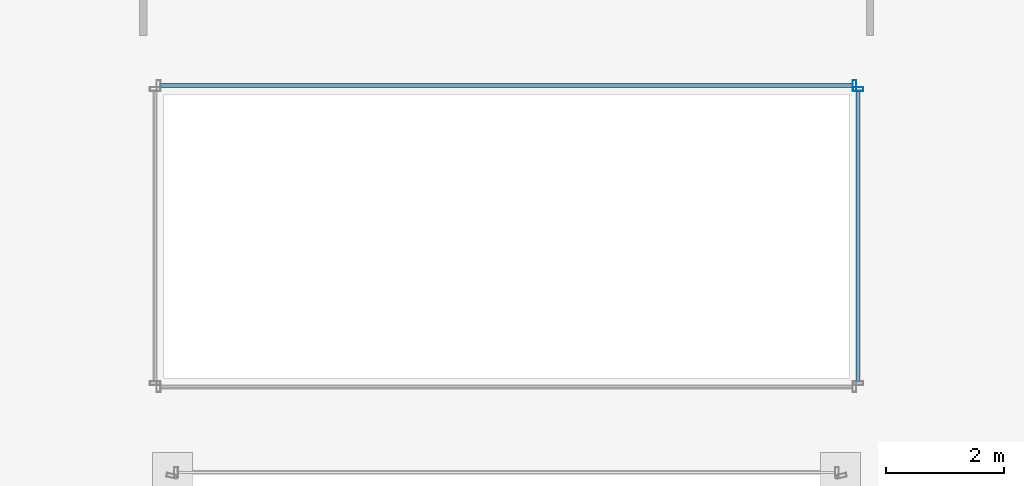
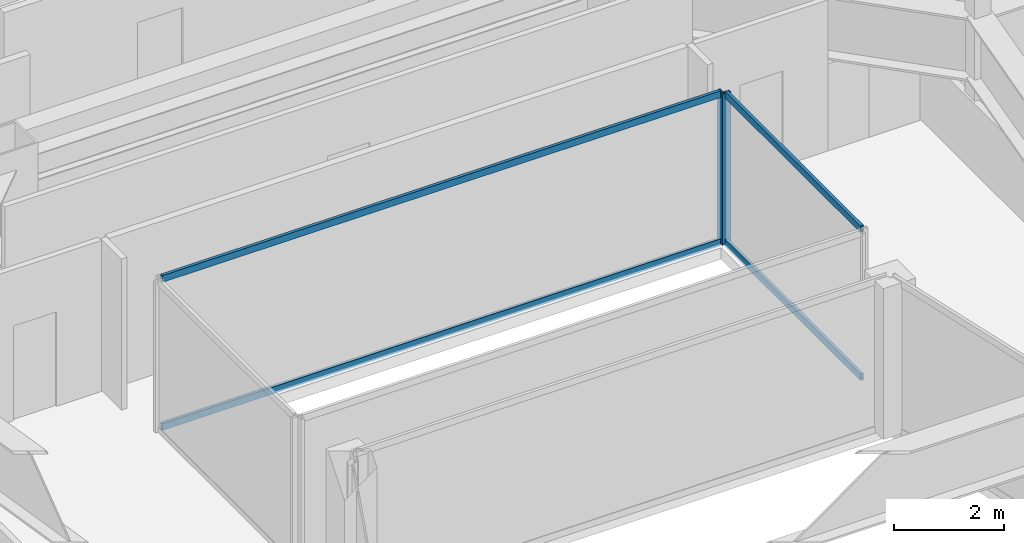
# One storey, part 12 of 35: 6 members, 2 elements without a shape of their own.
"""IFC4 building model written with IfcOpenShell, lengths in metres."""

from ifc_helpers import new_model, si_unit, direction, frame, origin, origin_2d, place, context, subcontext, project, spatial, hollow_rectangle, extrude, material, material_profile, profile_set, type_object, element, aggregate, save


model = new_model("IFC4")

# Units and contexts
model_context = context("Model", 3, precision=1e-05, world=origin(), true_north=direction((0.0, 1.0)))
body_context = subcontext(model_context, "Body", "Model", "MODEL_VIEW")
ifc_project = project(units=[si_unit("LENGTHUNIT", "METRE"), si_unit("AREAUNIT", "SQUARE_METRE"), si_unit("VOLUMEUNIT", "CUBIC_METRE"), si_unit("PLANEANGLEUNIT", "RADIAN"), si_unit("MASSUNIT", "GRAM", prefix="KILO")], contexts=[model_context])

# Site, building, storey
site_placement = place(None, origin())
site = spatial("IfcSite", under=ifc_project, at=site_placement, CompositionType="ELEMENT")
building_placement = place(site_placement, origin())
building = spatial("IfcBuilding", under=site, at=building_placement, Name="Saevonmaru Cultural Tower", CompositionType="ELEMENT")
storey_placement = place(building_placement, frame((0.0, 0.0, 249.60009765625)))
storey = spatial("IfcBuildingStorey", under=building, at=storey_placement, Name="L58", CompositionType="ELEMENT", Elevation=249.60009765625)

# Curtain wall, member
ifc_material = material(Name="Satin Bronze Anodised Aluminium", Category="aluminium")
curtain_wall_type = type_object("IfcCurtainWallType", Name="CW-ATR-GLZ", PredefinedType="NOTDEFINED", material=ifc_material)
curtain_wall_1_placement = place(storey_placement, origin())
curtain_wall_1 = element("IfcCurtainWall", 1, at=curtain_wall_1_placement, inside=storey, type_object=curtain_wall_type, Name="L58 Vertical Atrium Glazed Smoke Screen 2", PredefinedType="NOTDEFINED")
ifc_material_profile_1 = material_profile(ifc_material, hollow_rectangle(XDim=0.06494140625, YDim=0.179931640625, WallThickness=0.00390625, at=origin_2d()), Name="ALU-MULL-180x65x4")
ifc_profile_set_1 = profile_set([ifc_material_profile_1], Name="Satin Bronze Anodised Aluminium")
member_type_1 = type_object("IfcMemberType", Name="ML-CW-INT-180x65", PredefinedType="MULLION", material=ifc_profile_set_1)
member_1_placement = place(storey_placement, frame((35.949951171875, 37.68994140625, 0.0), z_axis=(0.0, 0.0, 1.0), x_axis=(0.0, 1.0, 0.0)))
member_1 = element("IfcMember", 2, at=member_1_placement, type_object=member_type_1, Name="CW-ATR-L58-2 mullion 2", PredefinedType="MULLION", context=body_context, shape_type="SweptSolid", body=[
    extrude(hollow_rectangle(XDim=0.06494140625, YDim=0.179931640625, WallThickness=0.00390625, at=origin_2d()), origin(), (0.0, 0.0, 1.0), 3.349853515625),
])

curtain_wall_2_placement = place(storey_placement, origin())
curtain_wall_2 = element("IfcCurtainWall", 3, at=curtain_wall_2_placement, inside=storey, type_object=curtain_wall_type, Name="L58 Vertical Atrium Glazed Smoke Screen 3", PredefinedType="NOTDEFINED")
member_2_placement = place(storey_placement, frame((35.889892578125, 37.75, 0.0), z_axis=(0.0, 0.0, 1.0), x_axis=(-1.0, 0.0, 0.0)))
member_2 = element("IfcMember", 4, at=member_2_placement, type_object=member_type_1, Name="CW-ATR-L58-3 mullion 1", PredefinedType="MULLION", context=body_context, shape_type="SweptSolid", body=[
    extrude(hollow_rectangle(XDim=0.06494140625, YDim=0.179931640625, WallThickness=0.00390625, at=origin_2d()), origin(), (0.0, 0.0, 1.0), 3.349853515625),
])

# Member
ifc_material_profile_2 = material_profile(ifc_material, hollow_rectangle(XDim=0.06494140625, YDim=0.14990234375, WallThickness=0.00390625, at=origin_2d()), Name="ALU-TRAN-150x65x4")
ifc_profile_set_2 = profile_set([ifc_material_profile_2], Name="Satin Bronze Anodised Aluminium")
member_type_2 = type_object("IfcMemberType", Name="TR-CW-INT-150x65", PredefinedType="USERDEFINED", material=ifc_profile_set_2)
member_3_placement = place(storey_placement, frame((35.949951171875, 32.742431640625, 0.032470703125), z_axis=(0.0, 1.0, 0.0), x_axis=(-1.0, 0.0, 0.0)))
member_3 = element("IfcMember", 5, at=member_3_placement, type_object=member_type_2, Name="CW-ATR-L58-2 transom 1.1", ObjectType="TRANSOM", PredefinedType="USERDEFINED", context=body_context, shape_type="SweptSolid", body=[
    extrude(hollow_rectangle(XDim=0.06494140625, YDim=0.14990234375, WallThickness=0.00390625, at=origin_2d()), origin(), (0.0, 0.0, 1.0), 4.9150390625),
])

member_4_placement = place(storey_placement, frame((35.949951171875, 32.742431640625, 3.3173828125), z_axis=(0.0, 1.0, 0.0), x_axis=(-1.0, 0.0, 0.0)))
member_4 = element("IfcMember", 6, at=member_4_placement, type_object=member_type_2, Name="CW-ATR-L58-2 transom 1.2", ObjectType="TRANSOM", PredefinedType="USERDEFINED", context=body_context, shape_type="SweptSolid", body=[
    extrude(hollow_rectangle(XDim=0.06494140625, YDim=0.14990234375, WallThickness=0.00390625, at=origin_2d()), origin(), (0.0, 0.0, 1.0), 4.9150390625),
])

aggregate(curtain_wall_1, [member_1, member_3, member_4])

member_5_placement = place(storey_placement, frame((35.857421875, 37.75, 0.032470703125), z_axis=(-1.0, 0.0, 0.0), x_axis=(0.0, -1.0, 0.0)))
member_5 = element("IfcMember", 7, at=member_5_placement, type_object=member_type_2, Name="CW-ATR-L58-3 transom 1.1", ObjectType="TRANSOM", PredefinedType="USERDEFINED", context=body_context, shape_type="SweptSolid", body=[
    extrude(hollow_rectangle(XDim=0.06494140625, YDim=0.14990234375, WallThickness=0.00390625, at=origin_2d()), origin(), (0.0, 0.0, 1.0), 11.71484375),
])

member_6_placement = place(storey_placement, frame((35.857421875, 37.75, 3.3173828125), z_axis=(-1.0, 0.0, 0.0), x_axis=(0.0, -1.0, 0.0)))
member_6 = element("IfcMember", 8, at=member_6_placement, type_object=member_type_2, Name="CW-ATR-L58-3 transom 1.2", ObjectType="TRANSOM", PredefinedType="USERDEFINED", context=body_context, shape_type="SweptSolid", body=[
    extrude(hollow_rectangle(XDim=0.06494140625, YDim=0.14990234375, WallThickness=0.00390625, at=origin_2d()), origin(), (0.0, 0.0, 1.0), 11.71484375),
])

aggregate(curtain_wall_2, [member_2, member_5, member_6])

save(model, "model.ifc")
